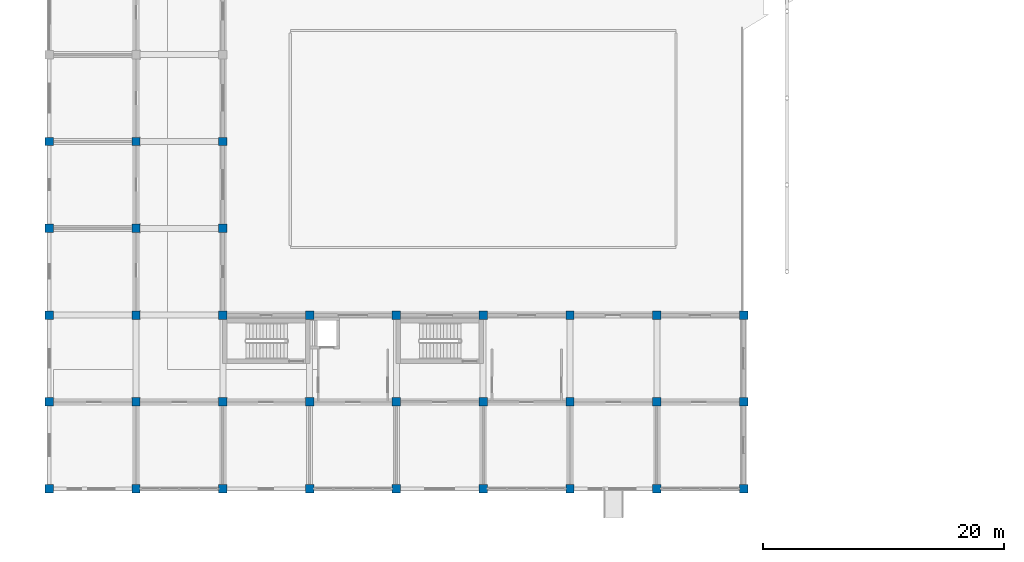
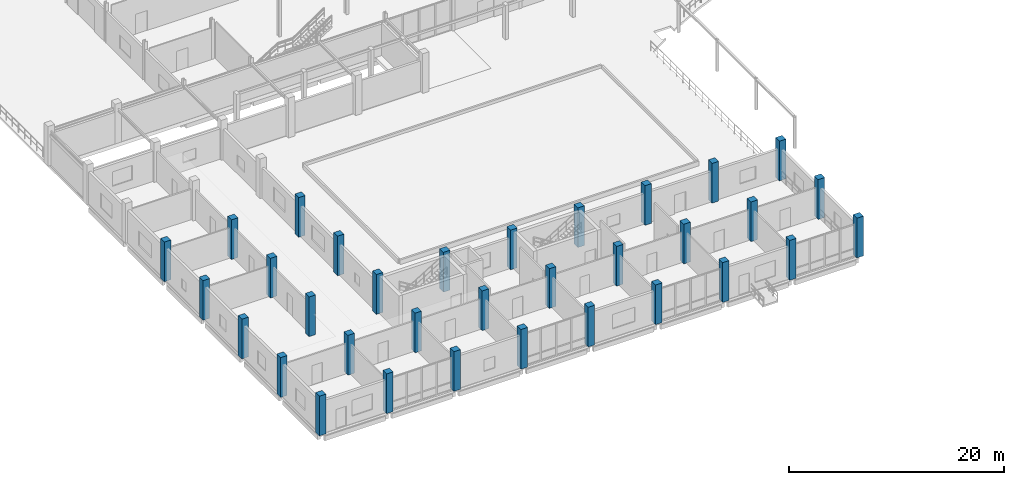
# One storey, part 1 of 139: 33 columns.
"""IFC4 building model written with IfcOpenShell, lengths in metres."""

from ifc_helpers import new_model, si_unit, direction, frame, origin, origin_2d, place, context, subcontext, project, spatial, rectangle, extrude, material, material_profile, profile_set, type_object, element, save


model = new_model("IFC4")

# Units and contexts
model_context = context("Model", 3, precision=1e-05, world=origin(), true_north=direction((0.0, 1.0)))
body_context = subcontext(model_context, "Body", "Model", "MODEL_VIEW")
ifc_project = project(units=[si_unit("LENGTHUNIT", "METRE"), si_unit("AREAUNIT", "SQUARE_METRE"), si_unit("VOLUMEUNIT", "CUBIC_METRE"), si_unit("PLANEANGLEUNIT", "RADIAN"), si_unit("MASSUNIT", "GRAM", prefix="KILO")], contexts=[model_context])

# Site, building, storey
site_placement = place(None, origin())
site = spatial("IfcSite", under=ifc_project, at=site_placement, CompositionType="ELEMENT")
building_placement = place(site_placement, origin())
building = spatial("IfcBuilding", under=site, at=building_placement, Name="Suanplinth Sawtooth Commons", CompositionType="ELEMENT")
storey_placement = place(building_placement, origin())
storey = spatial("IfcBuildingStorey", under=building, at=storey_placement, Name="L00", CompositionType="ELEMENT", Elevation=0.0)

# Columns
ifc_material = material(Name="Concrete C40/50", Category="concrete")
ifc_material_profile = material_profile(ifc_material, rectangle(XDim=0.699951171875, YDim=0.699951171875, at=origin_2d()), Name="RC-COL 700x700")
ifc_profile_set = profile_set([ifc_material_profile], Name="Concrete C40/50")
column_type = type_object("IfcColumnType", Name="C-02", PredefinedType="COLUMN", material=ifc_profile_set)
for number, where, z_axis, x_axis, name in (
    (1, (0.0, 0.0, 0.0), (0.0, 0.0, 1.0), (1.0, 0.0, 0.0), "Column L00 1/A"),
    (2, (0.0, 7.199951171875, 0.0), (0.0, 0.0, 1.0), (1.0, 0.0, 0.0), "Column L00 1/B"),
    (3, (0.0, 14.39990234375, 0.0), (0.0, 0.0, 1.0), (1.0, 0.0, 0.0), "Column L00 1/C"),
    (4, (0.0, 21.60009765625, 0.0), (0.0, 0.0, 1.0), (1.0, 0.0, 0.0), "Column L00 1/D"),
    (5, (0.0, 28.800048828125, 0.0), (0.0, 0.0, 1.0), (1.0, 0.0, 0.0), "Column L00 1/E"),
    (6, (7.199951171875, 0.0, 0.0), (0.0, 0.0, 1.0), (1.0, 0.0, 0.0), "Column L00 2/A"),
    (7, (7.199951171875, 7.199951171875, 0.0), (0.0, 0.0, 1.0), (1.0, 0.0, 0.0), "Column L00 2/B"),
    (8, (7.199951171875, 14.39990234375, 0.0), (0.0, 0.0, 1.0), (1.0, 0.0, 0.0), "Column L00 2/C"),
    (9, (7.199951171875, 21.60009765625, 0.0), (0.0, 0.0, 1.0), (1.0, 0.0, 0.0), "Column L00 2/D"),
    (10, (7.199951171875, 28.800048828125, 0.0), (0.0, 0.0, 1.0), (1.0, 0.0, 0.0), "Column L00 2/E"),
    (11, (14.39990234375, 0.0, 0.0), (0.0, 0.0, 1.0), (1.0, 0.0, 0.0), "Column L00 3/A"),
    (12, (14.39990234375, 7.199951171875, 0.0), (0.0, 0.0, 1.0), (1.0, 0.0, 0.0), "Column L00 3/B"),
    (13, (14.39990234375, 14.39990234375, 0.0), (0.0, 0.0, 1.0), (1.0, 0.0, 0.0), "Column L00 3/C"),
    (14, (14.39990234375, 21.60009765625, 0.0), (0.0, 0.0, 1.0), (1.0, 0.0, 0.0), "Column L00 3/D"),
    (15, (14.39990234375, 28.800048828125, 0.0), (0.0, 0.0, 1.0), (1.0, 0.0, 0.0), "Column L00 3/E"),
    (16, (21.60009765625, 0.0, 0.0), (0.0, 0.0, 1.0), (1.0, 0.0, 0.0), "Column L00 4/A"),
    (17, (21.60009765625, 7.199951171875, 0.0), (0.0, 0.0, 1.0), (1.0, 0.0, 0.0), "Column L00 4/B"),
    (18, (21.60009765625, 14.39990234375, 0.0), (0.0, 0.0, 1.0), (1.0, 0.0, 0.0), "Column L00 4/C"),
    (19, (28.800048828125, 0.0, 0.0), (0.0, 0.0, 1.0), (1.0, 0.0, 0.0), "Column L00 5/A"),
    (20, (28.800048828125, 7.199951171875, 0.0), (0.0, 0.0, 1.0), (1.0, 0.0, 0.0), "Column L00 5/B"),
    (21, (28.800048828125, 14.39990234375, 0.0), (0.0, 0.0, 1.0), (1.0, 0.0, 0.0), "Column L00 5/C"),
    (22, (36.0, 0.0, 0.0), (0.0, 0.0, 1.0), (1.0, 0.0, 0.0), "Column L00 6/A"),
    (23, (36.0, 7.199951171875, 0.0), (0.0, 0.0, 1.0), (1.0, 0.0, 0.0), "Column L00 6/B"),
    (24, (36.0, 14.39990234375, 0.0), (0.0, 0.0, 1.0), (1.0, 0.0, 0.0), "Column L00 6/C"),
    (25, (43.199951171875, 0.0, 0.0), (0.0, 0.0, 1.0), (1.0, 0.0, 0.0), "Column L00 7/A"),
    (26, (43.199951171875, 7.199951171875, 0.0), (0.0, 0.0, 1.0), (1.0, 0.0, 0.0), "Column L00 7/B"),
    (27, (43.199951171875, 14.39990234375, 0.0), (0.0, 0.0, 1.0), (1.0, 0.0, 0.0), "Column L00 7/C"),
    (28, (50.39990234375, 0.0, 0.0), (0.0, 0.0, 1.0), (1.0, 0.0, 0.0), "Column L00 8/A"),
    (29, (50.39990234375, 7.199951171875, 0.0), (0.0, 0.0, 1.0), (1.0, 0.0, 0.0), "Column L00 8/B"),
    (30, (50.39990234375, 14.39990234375, 0.0), (0.0, 0.0, 1.0), (1.0, 0.0, 0.0), "Column L00 8/C"),
    (31, (57.60009765625, 0.0, 0.0), (0.0, 0.0, 1.0), (1.0, 0.0, 0.0), "Column L00 9/A"),
    (32, (57.60009765625, 7.199951171875, 0.0), (0.0, 0.0, 1.0), (1.0, 0.0, 0.0), "Column L00 9/B"),
    (33, (57.60009765625, 14.39990234375, 0.0), (0.0, 0.0, 1.0), (1.0, 0.0, 0.0), "Column L00 9/C"),
):
    element("IfcColumn", number, at=place(storey_placement, frame(where, z_axis=z_axis, x_axis=x_axis)), inside=storey, type_object=column_type, Name=name, PredefinedType="COLUMN", context=body_context, shape_type="SweptSolid", body=[
        extrude(rectangle(XDim=0.699951171875, YDim=0.699951171875, at=origin_2d()), origin(), (0.0, 0.0, 1.0), 4.5),
    ])

save(model, "model.ifc")
